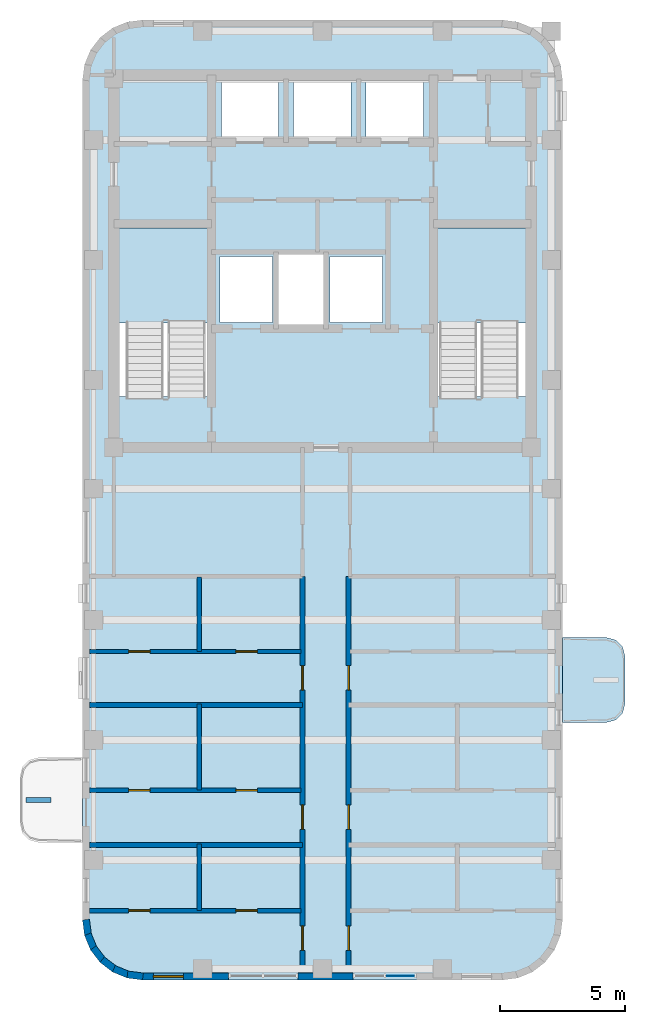
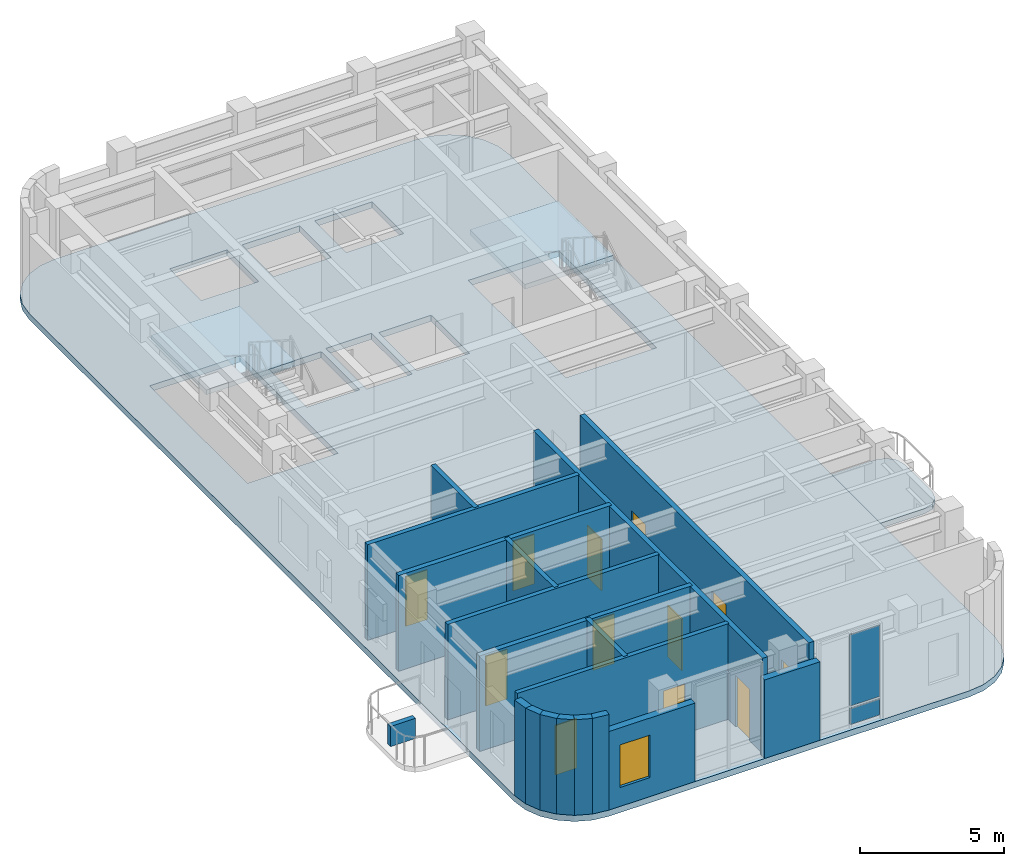
# One storey, part 2 of 6: 19 walls, 12 doors, 4 slabs, 2 plates, 1 window, 13 openings, 3 elements without a shape of their own.
"""IFC4 building model written with IfcOpenShell, lengths in metres."""

from ifc_helpers import new_model, si_unit, direction, frame, frame_2d, origin, origin_2d, place, context, subcontext, project, spatial, polyline, rectangle, outline, extrude, material, layer, layer_set, type_object, element, fill, aggregate, save


model = new_model("IFC4")

# Units and contexts
model_context = context("Model", 3, precision=1e-05, world=origin(), true_north=direction((0.0, 1.0)))
body_context = subcontext(model_context, "Body", "Model", "MODEL_VIEW")
ifc_project = project(units=[si_unit("LENGTHUNIT", "METRE"), si_unit("AREAUNIT", "SQUARE_METRE"), si_unit("VOLUMEUNIT", "CUBIC_METRE"), si_unit("PLANEANGLEUNIT", "RADIAN"), si_unit("MASSUNIT", "GRAM", prefix="KILO")], contexts=[model_context])

# Site, building, storey
site_placement = place(None, origin())
site = spatial("IfcSite", under=ifc_project, at=site_placement, CompositionType="ELEMENT")
building_placement = place(site_placement, origin())
building = spatial("IfcBuilding", under=site, at=building_placement, Name="Orvandelia Arch Residences", CompositionType="ELEMENT")
storey_placement = place(building_placement, frame((0.0, 0.0, 252.699951171875)))
storey = spatial("IfcBuildingStorey", under=building, at=storey_placement, Name="L66", CompositionType="ELEMENT", Elevation=252.699951171875)

# Curtain wall, plates
ifc_material_1 = material(Name="Anodised Bronze Curtain Wall Assembly")
curtain_wall_type = type_object("IfcCurtainWallType", Name="CW-SYS5-CORNER", PredefinedType="NOTDEFINED", material=ifc_material_1)
curtain_wall_placement = place(storey_placement, origin())
curtain_wall = element("IfcCurtainWall", 1, at=curtain_wall_placement, inside=storey, type_object=curtain_wall_type, Name="Feature Bay Winter-Garden Curtain Wall L66 2", PredefinedType="NOTDEFINED")
ifc_material_2 = material(Name="Insulated Bronze Aluminium Spandrel Panel", Category="aluminium")
ifc_layer_1 = layer(ifc_material_2, 0.0400390625, Name="Insulated Bronze Aluminium Spandrel Panel", Category="aluminium")
ifc_layer_set_1 = layer_set([ifc_layer_1], Name="Insulated Bronze Aluminium Spandrel Panel")
plate_type_1 = type_object("IfcPlateType", Name="CW-PANEL-SPANDREL", PredefinedType="SHEET", material=ifc_layer_set_1)
plate_1_placement = place(storey_placement, frame((17.507568359375, 9.760009765625, 0.125), z_axis=(0.0, 0.0, 1.0), x_axis=(1.0, 0.0, 0.0)))
plate_1 = element("IfcPlate", 2, at=plate_1_placement, type_object=plate_type_1, Name="Curtain Wall Spandrel Panel CW-L66-2-PS2", PredefinedType="SHEET", context=body_context, shape_type="SweptSolid", body=[
    extrude(rectangle(XDim=1.175048828125, YDim=0.0400390625, at=origin_2d()), origin(), (0.0, 0.0, 1.0), 0.669921875),
])
ifc_material_3 = material(Name="Low-E Laminated Double Glazing", Category="glass")
ifc_layer_2 = layer(ifc_material_3, 0.031982421875, Name="Low-E Laminated Double Glazing", Category="glass")
ifc_layer_set_2 = layer_set([ifc_layer_2], Name="Low-E Laminated Double Glazing")
plate_type_2 = type_object("IfcPlateType", Name="CW-PANEL-VISION", PredefinedType="CURTAIN_PANEL", material=ifc_layer_set_2)
plate_2_placement = place(storey_placement, frame((17.507568359375, 9.760009765625, 0.9052734375), z_axis=(0.0, 0.0, 1.0), x_axis=(1.0, 0.0, 0.0)))
plate_2 = element("IfcPlate", 3, at=plate_2_placement, type_object=plate_type_2, Name="Curtain Wall Vision Glass Panel CW-L66-2-PV2", PredefinedType="CURTAIN_PANEL", context=body_context, shape_type="SweptSolid", body=[
    extrude(rectangle(XDim=1.175048828125, YDim=0.031982421875, at=origin_2d()), origin(), (0.0, 0.0, 1.0), 3.010009765625),
])
aggregate(curtain_wall, [plate_1, plate_2])

# Slab
ifc_material_4 = material(Name="Precast concrete C40/50", Category="concrete")
ifc_layer_3 = layer(ifc_material_4, 0.219970703125, Name="Precast concrete C40/50", Category="concrete")
ifc_layer_set_3 = layer_set([ifc_layer_3], Name="Precast concrete C40/50")
slab_type_1 = type_object("IfcSlabType", Name="SLB-BAL-220", PredefinedType="USERDEFINED", material=ifc_layer_set_3)
slab_1_placement = place(storey_placement, frame((0.0, 0.0, -0.219970703125)))
element("IfcSlab", 4, at=slab_1_placement, inside=storey, type_object=slab_type_1, Name="Tree Balcony Cantilever Slab BAL-L66-W2", ObjectType="BALCONY", PredefinedType="USERDEFINED", context=body_context, shape_type="SweptSolid", body=[
    extrude(outline(polyline([(24.0, 23.300048828125), (24.0, 19.89990234375), (25.75, 19.89990234375), (26.125, 20.00048828125), (26.3994140625, 20.27490234375), (26.5, 20.64990234375), (26.5, 22.550048828125), (26.3994140625, 22.925048828125), (26.125, 23.199462890625), (25.75, 23.300048828125), (24.0, 23.300048828125)])), origin(), (0.0, 0.0, 1.0), 0.219970703125),
])

# Stair, slab
ifc_material_5 = material(Name="Concrete C40/50", Category="concrete")
stair_type = type_object("IfcStairType", Name="STAIR-RC-DOGLEG", PredefinedType="HALF_TURN_STAIR", material=ifc_material_5)
stair_1_placement = place(storey_placement, origin())
stair_1 = element("IfcStair", 5, at=stair_1_placement, inside=storey, type_object=stair_type, Name="L66 Protected Exit Stair ST-1", PredefinedType="HALF_TURN_STAIR")
ifc_layer_4 = layer(ifc_material_5, 0.219970703125, Name="Concrete C40/50", Category="concrete")
ifc_layer_set_4 = layer_set([ifc_layer_4], Name="Concrete C40/50")
slab_type_2 = type_object("IfcSlabType", Name="SLB-LANDING-220", PredefinedType="LANDING", material=ifc_layer_set_4)
slab_2_placement = place(storey_placement, frame((0.0, 0.0, 1.949951171875)))
slab_2 = element("IfcSlab", 6, at=slab_2_placement, type_object=slab_type_2, Name="ST-1 landing 1", PredefinedType="LANDING", context=body_context, shape_type="SweptSolid", body=[
    extrude(outline(polyline([(9.800048828125, 35.8701171875), (9.800048828125, 39.68994140625), (6.260009765625, 39.68994140625), (6.260009765625, 35.8701171875), (9.800048828125, 35.8701171875)])), origin(), (0.0, 0.0, 1.0), 0.2001953125),
])
aggregate(stair_1, [slab_2])

stair_2_placement = place(storey_placement, origin())
stair_2 = element("IfcStair", 7, at=stair_2_placement, inside=storey, type_object=stair_type, Name="L66 Protected Exit Stair ST-2", PredefinedType="HALF_TURN_STAIR")
slab_3_placement = place(storey_placement, frame((0.0, 0.0, 1.949951171875)))
slab_3 = element("IfcSlab", 8, at=slab_3_placement, type_object=slab_type_2, Name="ST-2 landing 1", PredefinedType="LANDING", context=body_context, shape_type="SweptSolid", body=[
    extrude(outline(polyline([(22.5400390625, 35.8701171875), (22.5400390625, 39.68994140625), (19.0, 39.68994140625), (19.0, 35.8701171875), (22.5400390625, 35.8701171875)])), origin(), (0.0, 0.0, 1.0), 0.2001953125),
])
aggregate(stair_2, [slab_3])

# Slab
ifc_layer_5 = layer(ifc_material_5, 0.260009765625, Name="Concrete C40/50", Category="concrete")
ifc_layer_set_5 = layer_set([ifc_layer_5], Name="Concrete C40/50")
slab_type_3 = type_object("IfcSlabType", Name="SLB-TWR-260", PredefinedType="FLOOR", material=ifc_layer_set_5)
slab_4_placement = place(storey_placement, frame((0.0, 0.0, -0.260009765625)))
element("IfcSlab", 9, at=slab_4_placement, inside=storey, type_object=slab_type_3, Name="Structural Floor Slab L66-1", PredefinedType="FLOOR", context=body_context, shape_type="SweptSolid", body=[
    extrude(outline(polyline([(4.800048828125, 12.0), (4.8818359375, 11.37890625), (5.12158203125, 10.800048828125), (5.5029296875, 10.302978515625), (6.0, 9.92138671875), (6.578857421875, 9.681884765625), (7.199951171875, 9.60009765625), (21.60009765625, 9.60009765625), (22.22119140625, 9.681884765625), (22.800048828125, 9.92138671875), (23.297119140625, 10.302978515625), (23.678466796875, 10.800048828125), (23.918212890625, 11.37890625), (24.0, 12.0), (24.0, 45.60009765625), (23.918212890625, 46.22119140625), (23.678466796875, 46.800048828125), (23.297119140625, 47.297119140625), (22.800048828125, 47.678466796875), (22.22119140625, 47.918212890625), (21.60009765625, 48.0), (7.199951171875, 48.0), (6.578857421875, 47.918212890625), (6.0, 47.678466796875), (5.5029296875, 47.297119140625), (5.12158203125, 46.800048828125), (4.8818359375, 46.22119140625), (4.800048828125, 45.60009765625), (4.800048828125, 12.0)]), holes=[polyline([(6.219970703125, 32.949951171875), (9.840087890625, 32.949951171875), (9.840087890625, 39.72998046875), (6.219970703125, 39.72998046875), (6.219970703125, 32.949951171875)]), polyline([(18.9599609375, 32.949951171875), (22.580078125, 32.949951171875), (22.580078125, 39.72998046875), (18.9599609375, 39.72998046875), (18.9599609375, 32.949951171875)]), polyline([(12.639892578125, 35.81005859375), (14.4599609375, 35.81005859375), (14.4599609375, 38.639892578125), (12.639892578125, 38.639892578125), (12.639892578125, 35.81005859375)]), polyline([(10.300048828125, 35.89990234375), (12.39990234375, 35.89990234375), (12.39990234375, 38.550048828125), (10.300048828125, 38.550048828125), (10.300048828125, 35.89990234375)]), polyline([(14.699951171875, 35.89990234375), (16.800048828125, 35.89990234375), (16.800048828125, 38.550048828125), (14.699951171875, 38.550048828125), (14.699951171875, 35.89990234375)]), polyline([(10.35009765625, 43.300048828125), (12.64990234375, 43.300048828125), (12.64990234375, 45.5), (10.35009765625, 45.5), (10.35009765625, 43.300048828125)]), polyline([(13.25, 43.300048828125), (15.550048828125, 43.300048828125), (15.550048828125, 45.5), (13.25, 45.5), (13.25, 43.300048828125)]), polyline([(16.14990234375, 43.300048828125), (18.449951171875, 43.300048828125), (18.449951171875, 45.5), (16.14990234375, 45.5), (16.14990234375, 43.300048828125)])]), origin(), (0.0, 0.0, 1.0), 0.260009765625),
])

# Wall, openings, doors
ifc_material_6 = material(Name="Fire-Rated Corridor Partition")
ifc_layer_6 = layer(ifc_material_6, 0.199951171875, Name="Fire-Rated Corridor Partition")
ifc_layer_set_6 = layer_set([ifc_layer_6], Name="Fire-Rated Corridor Partition")
wall_type_1 = type_object("IfcWallType", Name="WL-CORR-200", PredefinedType="PARTITIONING", material=ifc_layer_set_6)
wall_1_placement = place(storey_placement, frame((13.60009765625, 9.8798828125, 0.0), z_axis=(0.0, 0.0, 1.0), x_axis=(0.0, 1.0, 0.0)))
wall_1 = element("IfcWall", 10, at=wall_1_placement, inside=storey, type_object=wall_type_1, Name="Interior Partition Wall WL-L66-WC-W", PredefinedType="PARTITIONING", context=body_context, shape_type="SweptSolid", body=[
    extrude(rectangle(XDim=15.8701171875, YDim=0.199951171875, at=frame_2d((7.93505859375, 0.0))), origin(), (0.0, 0.0, 1.0), 4.0400390625),
])
opening_1_placement = place(wall_1_placement, frame((0.907958984375, 0.0, 0.0)))
opening_1 = element("IfcOpeningElement", 11, at=opening_1_placement, cuts=wall_1, Name="Opening D1", PredefinedType="OPENING", context=body_context, shape_type="SweptSolid", body=[
    extrude(rectangle(XDim=0.97998046875, YDim=2.179931640625, at=frame_2d((0.489990234375, 1.08984375))), frame((0.0, 0.10986328125, 0.0), z_axis=(0.0, -1.0, 0.0), x_axis=(1.0, 0.0, 0.0)), (0.0, 0.0, 1.0), 0.219970703125),
])
opening_2_placement = place(wall_1_placement, frame((5.74609375, 0.0, 0.0)))
opening_2 = element("IfcOpeningElement", 12, at=opening_2_placement, cuts=wall_1, Name="Opening D1", PredefinedType="OPENING", context=body_context, shape_type="SweptSolid", body=[
    extrude(rectangle(XDim=0.97998046875, YDim=2.179931640625, at=frame_2d((0.489990234375, 1.08984375))), frame((0.0, 0.10986328125, 0.0), z_axis=(0.0, -1.0, 0.0), x_axis=(1.0, 0.0, 0.0)), (0.0, 0.0, 1.0), 0.219970703125),
])
opening_3_placement = place(wall_1_placement, frame((11.320068359375, 0.0, 0.0)))
opening_3 = element("IfcOpeningElement", 13, at=opening_3_placement, cuts=wall_1, Name="Opening D1", PredefinedType="OPENING", context=body_context, shape_type="SweptSolid", body=[
    extrude(rectangle(XDim=0.97998046875, YDim=2.179931640625, at=frame_2d((0.489990234375, 1.08984375))), frame((0.0, 0.10986328125, 0.0), z_axis=(0.0, -1.0, 0.0), x_axis=(1.0, 0.0, 0.0)), (0.0, 0.0, 1.0), 0.219970703125),
])
ifc_material_7 = material(Name="Solid-Core Timber Acoustic Fire Door", Category="wood")
door_type_1 = type_object("IfcDoorType", Name="DR-ENT-980", OperationType="NOTDEFINED", PredefinedType="DOOR", material=ifc_material_7)
door_1_placement = place(opening_1_placement, origin())
door_1 = element("IfcDoor", 14, at=door_1_placement, inside=storey, type_object=door_type_1, Name="Unit L66-01 Entrance Door", OperationType="SINGLE_SWING_LEFT", OverallHeight=2.179931640625, OverallWidth=0.97998046875, PredefinedType="DOOR", context=body_context, shape_type="SweptSolid", body=[
    extrude(rectangle(XDim=0.97998046875, YDim=2.179931640625, at=frame_2d((0.489990234375, 1.08984375))), frame((0.0, 0.02490234375, 0.0), z_axis=(0.0, -1.0, 0.0), x_axis=(1.0, 0.0, 0.0)), (0.0, 0.0, 1.0), 0.050048828125),
])
fill(opening_1, door_1)
door_2_placement = place(opening_2_placement, origin())
door_2 = element("IfcDoor", 15, at=door_2_placement, inside=storey, type_object=door_type_1, Name="Unit L66-02 Entrance Door", OperationType="SINGLE_SWING_RIGHT", OverallHeight=2.179931640625, OverallWidth=0.97998046875, PredefinedType="DOOR", context=body_context, shape_type="SweptSolid", body=[
    extrude(rectangle(XDim=0.97998046875, YDim=2.179931640625, at=frame_2d((0.489990234375, 1.08984375))), frame((0.0, 0.02490234375, 0.0), z_axis=(0.0, -1.0, 0.0), x_axis=(1.0, 0.0, 0.0)), (0.0, 0.0, 1.0), 0.050048828125),
])
fill(opening_2, door_2)
door_3_placement = place(opening_3_placement, origin())
door_3 = element("IfcDoor", 16, at=door_3_placement, inside=storey, type_object=door_type_1, Name="Unit L66-03 Entrance Door", OperationType="SINGLE_SWING_LEFT", OverallHeight=2.179931640625, OverallWidth=0.97998046875, PredefinedType="DOOR", context=body_context, shape_type="SweptSolid", body=[
    extrude(rectangle(XDim=0.97998046875, YDim=2.179931640625, at=frame_2d((0.489990234375, 1.08984375))), frame((0.0, 0.02490234375, 0.0), z_axis=(0.0, -1.0, 0.0), x_axis=(1.0, 0.0, 0.0)), (0.0, 0.0, 1.0), 0.050048828125),
])
fill(opening_3, door_3)

wall_2_placement = place(storey_placement, frame((15.449951171875, 9.8798828125, 0.0), z_axis=(0.0, 0.0, 1.0), x_axis=(0.0, 1.0, 0.0)))
wall_2 = element("IfcWall", 17, at=wall_2_placement, inside=storey, type_object=wall_type_1, Name="Interior Partition Wall WL-L66-WC-E", PredefinedType="PARTITIONING", context=body_context, shape_type="SweptSolid", body=[
    extrude(rectangle(XDim=15.8701171875, YDim=0.199951171875, at=frame_2d((7.93505859375, 0.0))), origin(), (0.0, 0.0, 1.0), 4.0400390625),
])
opening_4_placement = place(wall_2_placement, frame((0.907958984375, 0.0, 0.0)))
opening_4 = element("IfcOpeningElement", 18, at=opening_4_placement, cuts=wall_2, Name="Opening D1", PredefinedType="OPENING", context=body_context, shape_type="SweptSolid", body=[
    extrude(rectangle(XDim=0.97998046875, YDim=2.179931640625, at=frame_2d((0.489990234375, 1.08984375))), frame((0.0, 0.10986328125, 0.0), z_axis=(0.0, -1.0, 0.0), x_axis=(1.0, 0.0, 0.0)), (0.0, 0.0, 1.0), 0.219970703125),
])
opening_5_placement = place(wall_2_placement, frame((5.74609375, 0.0, 0.0)))
opening_5 = element("IfcOpeningElement", 19, at=opening_5_placement, cuts=wall_2, Name="Opening D1", PredefinedType="OPENING", context=body_context, shape_type="SweptSolid", body=[
    extrude(rectangle(XDim=0.97998046875, YDim=2.179931640625, at=frame_2d((0.489990234375, 1.08984375))), frame((0.0, 0.10986328125, 0.0), z_axis=(0.0, -1.0, 0.0), x_axis=(1.0, 0.0, 0.0)), (0.0, 0.0, 1.0), 0.219970703125),
])
opening_6_placement = place(wall_2_placement, frame((11.320068359375, 0.0, 0.0)))
opening_6 = element("IfcOpeningElement", 20, at=opening_6_placement, cuts=wall_2, Name="Opening D1", PredefinedType="OPENING", context=body_context, shape_type="SweptSolid", body=[
    extrude(rectangle(XDim=0.97998046875, YDim=2.179931640625, at=frame_2d((0.489990234375, 1.08984375))), frame((0.0, 0.10986328125, 0.0), z_axis=(0.0, -1.0, 0.0), x_axis=(1.0, 0.0, 0.0)), (0.0, 0.0, 1.0), 0.219970703125),
])
door_4_placement = place(opening_4_placement, origin())
door_4 = element("IfcDoor", 21, at=door_4_placement, inside=storey, type_object=door_type_1, Name="Unit L66-04 Entrance Door", OperationType="SINGLE_SWING_RIGHT", OverallHeight=2.179931640625, OverallWidth=0.97998046875, PredefinedType="DOOR", context=body_context, shape_type="SweptSolid", body=[
    extrude(rectangle(XDim=0.97998046875, YDim=2.179931640625, at=frame_2d((0.489990234375, 1.08984375))), frame((0.0, 0.02490234375, 0.0), z_axis=(0.0, -1.0, 0.0), x_axis=(1.0, 0.0, 0.0)), (0.0, 0.0, 1.0), 0.050048828125),
])
fill(opening_4, door_4)
door_5_placement = place(opening_5_placement, origin())
door_5 = element("IfcDoor", 22, at=door_5_placement, inside=storey, type_object=door_type_1, Name="Unit L66-05 Entrance Door", OperationType="SINGLE_SWING_LEFT", OverallHeight=2.179931640625, OverallWidth=0.97998046875, PredefinedType="DOOR", context=body_context, shape_type="SweptSolid", body=[
    extrude(rectangle(XDim=0.97998046875, YDim=2.179931640625, at=frame_2d((0.489990234375, 1.08984375))), frame((0.0, 0.02490234375, 0.0), z_axis=(0.0, -1.0, 0.0), x_axis=(1.0, 0.0, 0.0)), (0.0, 0.0, 1.0), 0.050048828125),
])
fill(opening_5, door_5)
door_6_placement = place(opening_6_placement, origin())
door_6 = element("IfcDoor", 23, at=door_6_placement, inside=storey, type_object=door_type_1, Name="Unit L66-06 Entrance Door", OperationType="SINGLE_SWING_RIGHT", OverallHeight=2.179931640625, OverallWidth=0.97998046875, PredefinedType="DOOR", context=body_context, shape_type="SweptSolid", body=[
    extrude(rectangle(XDim=0.97998046875, YDim=2.179931640625, at=frame_2d((0.489990234375, 1.08984375))), frame((0.0, 0.02490234375, 0.0), z_axis=(0.0, -1.0, 0.0), x_axis=(1.0, 0.0, 0.0)), (0.0, 0.0, 1.0), 0.050048828125),
])
fill(opening_6, door_6)

# Walls
ifc_layer_7 = layer(ifc_material_5, 0.199951171875, Name="Concrete C40/50", Category="concrete")
ifc_layer_set_7 = layer_set([ifc_layer_7], Name="Concrete C40/50")
wall_type_2 = type_object("IfcWallType", Name="WL-DEM-200", PredefinedType="SOLIDWALL", material=ifc_layer_set_7)
for number, where, z_axis, x_axis, name in (
    (24, (5.080078125, 15.0, 0.0), (0.0, 0.0, 1.0), (1.0, 0.0, 0.0), "Interior Partition Wall WL-L66-DEM-WL-150"),
    (25, (5.080078125, 20.60009765625, 0.0), (0.0, 0.0, 1.0), (1.0, 0.0, 0.0), "Interior Partition Wall WL-L66-DEM-WL-206"),
):
    element("IfcWall", number, at=place(storey_placement, frame(where, z_axis=z_axis, x_axis=x_axis)), inside=storey, type_object=wall_type_2, Name=name, PredefinedType="SOLIDWALL", context=body_context, shape_type="SweptSolid", body=[
        extrude(rectangle(XDim=8.52001953125, YDim=0.199951171875, at=frame_2d((4.260009765625, 0.0))), origin(), (0.0, 0.0, 1.0), 4.0400390625),
    ])
ifc_layer_8 = layer(ifc_material_4, 0.280029296875, Name="Precast concrete C40/50", Category="concrete")
ifc_layer_set_8 = layer_set([ifc_layer_8], Name="Precast concrete C40/50")
wall_type_3 = type_object("IfcWallType", Name="WL-EXT-STONE-280", PredefinedType="STANDARD", material=ifc_layer_set_8)
wall_3_placement = place(storey_placement, frame((15.6298828125, 9.739990234375, 0.0), z_axis=(0.0, 0.0, 1.0), x_axis=(-1.0, 0.0, 0.0)))
element("IfcWall", 26, at=wall_3_placement, inside=storey, type_object=wall_type_3, Name="Coral-Limestone Precast Facade Wall L66-022", PredefinedType="STANDARD", context=body_context, shape_type="SweptSolid", body=[
    extrude(rectangle(XDim=2.2099609375, YDim=0.280029296875, at=frame_2d((1.10498046875, 0.0))), origin(), (0.0, 0.0, 1.0), 3.320068359375),
])

# Wall, opening, window
wall_4_placement = place(storey_placement, frame((10.639892578125, 9.739990234375, 0.0), z_axis=(0.0, 0.0, 1.0), x_axis=(-1.0, 0.0, 0.0)))
wall_4 = element("IfcWall", 27, at=wall_4_placement, inside=storey, type_object=wall_type_3, Name="Coral-Limestone Precast Facade Wall L66-023", PredefinedType="STANDARD", context=body_context, shape_type="SweptSolid", body=[
    extrude(rectangle(XDim=3.43994140625, YDim=0.280029296875, at=frame_2d((1.719970703125, 0.0))), origin(), (0.0, 0.0, 1.0), 3.320068359375),
])
opening_7_placement = place(wall_4_placement, frame((1.8076171875, 0.0, 0.800048828125)))
opening_7 = element("IfcOpeningElement", 28, at=opening_7_placement, cuts=wall_4, Name="Opening W3", PredefinedType="OPENING", context=body_context, shape_type="SweptSolid", body=[
    extrude(rectangle(XDim=1.199951171875, YDim=1.800048828125, at=frame_2d((0.60009765625, 0.89990234375))), frame((0.0, 0.14990234375, 0.0), z_axis=(0.0, -1.0, 0.0), x_axis=(1.0, 0.0, 0.0)), (0.0, 0.0, 1.0), 0.300048828125),
])
ifc_material_8 = material(Name="Tempered Low-E Insulated Glazing", Category="glass")
window_type = type_object("IfcWindowType", Name="WIN-RES-1200x1800", PartitioningType="SINGLE_PANEL", PredefinedType="WINDOW", material=ifc_material_8)
window_placement = place(opening_7_placement, origin())
window = element("IfcWindow", 29, at=window_placement, inside=storey, type_object=window_type, Name="Recessed Punched Window L66-008", OverallHeight=1.800048828125, OverallWidth=1.199951171875, PartitioningType="SINGLE_PANEL", PredefinedType="WINDOW", context=body_context, shape_type="SweptSolid", body=[
    extrude(rectangle(XDim=1.199951171875, YDim=1.800048828125, at=frame_2d((0.60009765625, 0.89990234375))), frame((0.0, 0.030029296875, 0.0), z_axis=(0.0, -1.0, 0.0), x_axis=(1.0, 0.0, 0.0)), (0.0, 0.0, 1.0), 0.06005859375),
])
fill(opening_7, window)

# Walls
wall_5_placement = place(storey_placement, frame((7.21826171875, 9.73876953125, 0.0), z_axis=(0.0, 0.0, 1.0), x_axis=(-0.9914410257, 0.130555323746, 0.0)))
element("IfcWall", 30, at=wall_5_placement, inside=storey, type_object=wall_type_3, Name="Coral-Limestone Precast Facade Wall L66-024", PredefinedType="STANDARD", context=body_context, shape_type="SweptSolid", body=[
    extrude(rectangle(XDim=0.62646484375, YDim=0.280029296875, at=frame_2d((0.313232421875, 0.0))), origin(), (0.0, 0.0, 1.0), 4.0400390625),
])
wall_6_placement = place(storey_placement, frame((6.63232421875, 9.81103515625, 0.0), z_axis=(0.0, 0.0, 1.0), x_axis=(-0.923836271867, 0.382787856107, 0.0)))
element("IfcWall", 31, at=wall_6_placement, inside=storey, type_object=wall_type_3, Name="Coral-Limestone Precast Facade Wall L66-025", PredefinedType="STANDARD", context=body_context, shape_type="SweptSolid", body=[
    extrude(rectangle(XDim=0.626220703125, YDim=0.280029296875, at=frame_2d((0.31298828125, 0.0))), origin(), (0.0, 0.0, 1.0), 4.0400390625),
])
for number, where, z_axis, x_axis, name in (
    (32, (6.085205078125, 10.03271484375, 0.0), (0.0, 0.0, 1.0), (-0.793405610854, 0.608693302629, 0.0), "Coral-Limestone Precast Facade Wall L66-026"),
    (33, (5.614013671875, 10.38818359375, 0.0), (0.0, 0.0, 1.0), (-0.608693302629, 0.793405610854, 0.0), "Coral-Limestone Precast Facade Wall L66-027"),
    (34, (5.250732421875, 10.853515625, 0.0), (0.0, 0.0, 1.0), (-0.382650053678, 0.92389335771, 0.0), "Coral-Limestone Precast Facade Wall L66-028"),
    (35, (5.0205078125, 11.397216796875, 0.0), (0.0, 0.0, 1.0), (-0.130555323746, 0.9914410257, 0.0), "Coral-Limestone Precast Facade Wall L66-029"),
):
    element("IfcWall", number, at=place(storey_placement, frame(where, z_axis=z_axis, x_axis=x_axis)), inside=storey, type_object=wall_type_3, Name=name, PredefinedType="STANDARD", context=body_context, shape_type="SweptSolid", body=[
        extrude(rectangle(XDim=0.62646484375, YDim=0.280029296875, at=frame_2d((0.313232421875, 0.0))), origin(), (0.0, 0.0, 1.0), 4.0400390625),
    ])
ifc_layer_9 = layer(ifc_material_4, 0.199951171875, Name="Precast concrete C40/50", Category="concrete")
ifc_layer_set_9 = layer_set([ifc_layer_9], Name="Precast concrete C40/50")
wall_type_4 = type_object("IfcWallType", Name="WL-PLANTER-200", PredefinedType="MOVABLE", material=ifc_layer_set_9)
wall_7_placement = place(storey_placement, frame((2.550048828125, 16.800048828125, 0.0), z_axis=(0.0, 0.0, 1.0), x_axis=(1.0, 0.0, 0.0)))
element("IfcWall", 36, at=wall_7_placement, inside=storey, type_object=wall_type_4, Name="Balcony Precast Tree Planter BAL-L66-W1", PredefinedType="MOVABLE", context=body_context, shape_type="SweptSolid", body=[
    extrude(rectangle(XDim=1.0, YDim=0.199951171875, at=frame_2d((0.5, 0.0))), origin(), (0.0, 0.0, 1.0), 0.85009765625),
])

# Wall, openings, doors
ifc_material_9 = material(Name="Moisture-Resistant Plumbing Wall")
ifc_layer_10 = layer(ifc_material_9, 0.179931640625, Name="Moisture-Resistant Plumbing Wall")
ifc_layer_set_10 = layer_set([ifc_layer_10], Name="Moisture-Resistant Plumbing Wall")
wall_type_5 = type_object("IfcWallType", Name="WL-WET-180", PredefinedType="PLUMBINGWALL", material=ifc_layer_set_10)
wall_8_placement = place(storey_placement, frame((5.080078125, 12.3759765625, 0.0), z_axis=(0.0, 0.0, 1.0), x_axis=(1.0, 0.0, 0.0)))
wall_8 = element("IfcWall", 37, at=wall_8_placement, inside=storey, type_object=wall_type_5, Name="Interior Partition Wall WL-L66-U01-HZ", PredefinedType="PLUMBINGWALL", context=body_context, shape_type="SweptSolid", body=[
    extrude(rectangle(XDim=8.4599609375, YDim=0.179931640625, at=frame_2d((4.22998046875, 0.0))), origin(), (0.0, 0.0, 1.0), 4.0400390625),
])
opening_8_placement = place(wall_8_placement, frame((1.56005859375, 0.0, 0.0)))
opening_8 = element("IfcOpeningElement", 38, at=opening_8_placement, cuts=wall_8, Name="Opening D4", PredefinedType="OPENING", context=body_context, shape_type="SweptSolid", body=[
    extrude(rectangle(XDim=0.860107421875, YDim=2.10009765625, at=frame_2d((0.43017578125, 1.050048828125))), frame((0.0, 0.10009765625, 0.0), z_axis=(0.0, -1.0, 0.0), x_axis=(1.0, 0.0, 0.0)), (0.0, 0.0, 1.0), 0.199951171875),
])
opening_9_placement = place(wall_8_placement, frame((5.85009765625, 0.0, 0.0)))
opening_9 = element("IfcOpeningElement", 39, at=opening_9_placement, cuts=wall_8, Name="Opening D4", PredefinedType="OPENING", context=body_context, shape_type="SweptSolid", body=[
    extrude(rectangle(XDim=0.860107421875, YDim=2.10009765625, at=frame_2d((0.43017578125, 1.050048828125))), frame((0.0, 0.10009765625, 0.0), z_axis=(0.0, -1.0, 0.0), x_axis=(1.0, 0.0, 0.0)), (0.0, 0.0, 1.0), 0.199951171875),
])
ifc_material_10 = material(Name="Moisture-Sealed Timber Bathroom Door", Category="wood")
door_type_2 = type_object("IfcDoorType", Name="DR-WET-900", OperationType="NOTDEFINED", PredefinedType="DOOR", material=ifc_material_10)
door_7_placement = place(opening_8_placement, origin())
door_7 = element("IfcDoor", 40, at=door_7_placement, inside=storey, type_object=door_type_2, Name="DR-L66-U01-KIT", OperationType="SINGLE_SWING_LEFT", OverallHeight=2.10009765625, OverallWidth=0.860107421875, PredefinedType="DOOR", context=body_context, shape_type="SweptSolid", body=[
    extrude(rectangle(XDim=0.860107421875, YDim=2.10009765625, at=frame_2d((0.43017578125, 1.050048828125))), frame((0.0, 0.02490234375, 0.0), z_axis=(0.0, -1.0, 0.0), x_axis=(1.0, 0.0, 0.0)), (0.0, 0.0, 1.0), 0.050048828125),
])
fill(opening_8, door_7)
door_8_placement = place(opening_9_placement, origin())
door_8 = element("IfcDoor", 41, at=door_8_placement, inside=storey, type_object=door_type_2, Name="DR-L66-U01-BTH", OperationType="SINGLE_SWING_RIGHT", OverallHeight=2.10009765625, OverallWidth=0.860107421875, PredefinedType="DOOR", context=body_context, shape_type="SweptSolid", body=[
    extrude(rectangle(XDim=0.860107421875, YDim=2.10009765625, at=frame_2d((0.43017578125, 1.050048828125))), frame((0.0, 0.02490234375, 0.0), z_axis=(0.0, -1.0, 0.0), x_axis=(1.0, 0.0, 0.0)), (0.0, 0.0, 1.0), 0.050048828125),
])
fill(opening_9, door_8)

# Wall
wall_9_placement = place(storey_placement, frame((9.469970703125, 12.3759765625, 0.0), z_axis=(0.0, 0.0, 1.0), x_axis=(0.0, 1.0, 0.0)))
element("IfcWall", 42, at=wall_9_placement, inside=storey, type_object=wall_type_5, Name="Interior Partition Wall WL-L66-U01-V1", PredefinedType="PLUMBINGWALL", context=body_context, shape_type="SweptSolid", body=[
    extrude(rectangle(XDim=2.6640625, YDim=0.179931640625, at=frame_2d((1.33203125, 0.0))), origin(), (0.0, 0.0, 1.0), 4.0400390625),
])

# Wall, openings, doors
wall_10_placement = place(storey_placement, frame((5.080078125, 17.19189453125, 0.0), z_axis=(0.0, 0.0, 1.0), x_axis=(1.0, 0.0, 0.0)))
wall_10 = element("IfcWall", 43, at=wall_10_placement, inside=storey, type_object=wall_type_5, Name="Interior Partition Wall WL-L66-U02-HZ", PredefinedType="PLUMBINGWALL", context=body_context, shape_type="SweptSolid", body=[
    extrude(rectangle(XDim=8.4599609375, YDim=0.179931640625, at=frame_2d((4.22998046875, 0.0))), origin(), (0.0, 0.0, 1.0), 4.0400390625),
])
opening_10_placement = place(wall_10_placement, frame((1.56005859375, 0.0, 0.0)))
opening_10 = element("IfcOpeningElement", 44, at=opening_10_placement, cuts=wall_10, Name="Opening D4", PredefinedType="OPENING", context=body_context, shape_type="SweptSolid", body=[
    extrude(rectangle(XDim=0.860107421875, YDim=2.10009765625, at=frame_2d((0.43017578125, 1.050048828125))), frame((0.0, 0.10009765625, 0.0), z_axis=(0.0, -1.0, 0.0), x_axis=(1.0, 0.0, 0.0)), (0.0, 0.0, 1.0), 0.199951171875),
])
opening_11_placement = place(wall_10_placement, frame((5.85009765625, 0.0, 0.0)))
opening_11 = element("IfcOpeningElement", 45, at=opening_11_placement, cuts=wall_10, Name="Opening D4", PredefinedType="OPENING", context=body_context, shape_type="SweptSolid", body=[
    extrude(rectangle(XDim=0.860107421875, YDim=2.10009765625, at=frame_2d((0.43017578125, 1.050048828125))), frame((0.0, 0.10009765625, 0.0), z_axis=(0.0, -1.0, 0.0), x_axis=(1.0, 0.0, 0.0)), (0.0, 0.0, 1.0), 0.199951171875),
])
door_9_placement = place(opening_10_placement, origin())
door_9 = element("IfcDoor", 46, at=door_9_placement, inside=storey, type_object=door_type_2, Name="DR-L66-U02-KIT", OperationType="SINGLE_SWING_RIGHT", OverallHeight=2.10009765625, OverallWidth=0.860107421875, PredefinedType="DOOR", context=body_context, shape_type="SweptSolid", body=[
    extrude(rectangle(XDim=0.860107421875, YDim=2.10009765625, at=frame_2d((0.43017578125, 1.050048828125))), frame((0.0, 0.02490234375, 0.0), z_axis=(0.0, -1.0, 0.0), x_axis=(1.0, 0.0, 0.0)), (0.0, 0.0, 1.0), 0.050048828125),
])
fill(opening_10, door_9)
door_10_placement = place(opening_11_placement, origin())
door_10 = element("IfcDoor", 47, at=door_10_placement, inside=storey, type_object=door_type_2, Name="DR-L66-U02-BTH", OperationType="SINGLE_SWING_LEFT", OverallHeight=2.10009765625, OverallWidth=0.860107421875, PredefinedType="DOOR", context=body_context, shape_type="SweptSolid", body=[
    extrude(rectangle(XDim=0.860107421875, YDim=2.10009765625, at=frame_2d((0.43017578125, 1.050048828125))), frame((0.0, 0.02490234375, 0.0), z_axis=(0.0, -1.0, 0.0), x_axis=(1.0, 0.0, 0.0)), (0.0, 0.0, 1.0), 0.050048828125),
])
fill(opening_11, door_10)

# Wall
wall_11_placement = place(storey_placement, frame((9.469970703125, 17.19189453125, 0.0), z_axis=(0.0, 0.0, 1.0), x_axis=(0.0, 1.0, 0.0)))
element("IfcWall", 48, at=wall_11_placement, inside=storey, type_object=wall_type_5, Name="Interior Partition Wall WL-L66-U02-V1", PredefinedType="PLUMBINGWALL", context=body_context, shape_type="SweptSolid", body=[
    extrude(rectangle(XDim=3.447998046875, YDim=0.179931640625, at=frame_2d((1.72412109375, 0.0))), origin(), (0.0, 0.0, 1.0), 4.0400390625),
])

# Wall, openings, doors
wall_12_placement = place(storey_placement, frame((5.080078125, 22.739990234375, 0.0), z_axis=(0.0, 0.0, 1.0), x_axis=(1.0, 0.0, 0.0)))
wall_12 = element("IfcWall", 49, at=wall_12_placement, inside=storey, type_object=wall_type_5, Name="Interior Partition Wall WL-L66-U03-HZ", PredefinedType="PLUMBINGWALL", context=body_context, shape_type="SweptSolid", body=[
    extrude(rectangle(XDim=8.4599609375, YDim=0.179931640625, at=frame_2d((4.22998046875, 0.0))), origin(), (0.0, 0.0, 1.0), 4.0400390625),
])
opening_12_placement = place(wall_12_placement, frame((1.56005859375, 0.0, 0.0)))
opening_12 = element("IfcOpeningElement", 50, at=opening_12_placement, cuts=wall_12, Name="Opening D4", PredefinedType="OPENING", context=body_context, shape_type="SweptSolid", body=[
    extrude(rectangle(XDim=0.860107421875, YDim=2.10009765625, at=frame_2d((0.43017578125, 1.050048828125))), frame((0.0, 0.10009765625, 0.0), z_axis=(0.0, -1.0, 0.0), x_axis=(1.0, 0.0, 0.0)), (0.0, 0.0, 1.0), 0.199951171875),
])
opening_13_placement = place(wall_12_placement, frame((5.85009765625, 0.0, 0.0)))
opening_13 = element("IfcOpeningElement", 51, at=opening_13_placement, cuts=wall_12, Name="Opening D4", PredefinedType="OPENING", context=body_context, shape_type="SweptSolid", body=[
    extrude(rectangle(XDim=0.860107421875, YDim=2.10009765625, at=frame_2d((0.43017578125, 1.050048828125))), frame((0.0, 0.10009765625, 0.0), z_axis=(0.0, -1.0, 0.0), x_axis=(1.0, 0.0, 0.0)), (0.0, 0.0, 1.0), 0.199951171875),
])
door_11_placement = place(opening_12_placement, origin())
door_11 = element("IfcDoor", 52, at=door_11_placement, inside=storey, type_object=door_type_2, Name="DR-L66-U03-KIT", OperationType="SINGLE_SWING_LEFT", OverallHeight=2.10009765625, OverallWidth=0.860107421875, PredefinedType="DOOR", context=body_context, shape_type="SweptSolid", body=[
    extrude(rectangle(XDim=0.860107421875, YDim=2.10009765625, at=frame_2d((0.43017578125, 1.050048828125))), frame((0.0, 0.02490234375, 0.0), z_axis=(0.0, -1.0, 0.0), x_axis=(1.0, 0.0, 0.0)), (0.0, 0.0, 1.0), 0.050048828125),
])
fill(opening_12, door_11)
door_12_placement = place(opening_13_placement, origin())
door_12 = element("IfcDoor", 53, at=door_12_placement, inside=storey, type_object=door_type_2, Name="DR-L66-U03-BTH", OperationType="SINGLE_SWING_RIGHT", OverallHeight=2.10009765625, OverallWidth=0.860107421875, PredefinedType="DOOR", context=body_context, shape_type="SweptSolid", body=[
    extrude(rectangle(XDim=0.860107421875, YDim=2.10009765625, at=frame_2d((0.43017578125, 1.050048828125))), frame((0.0, 0.02490234375, 0.0), z_axis=(0.0, -1.0, 0.0), x_axis=(1.0, 0.0, 0.0)), (0.0, 0.0, 1.0), 0.050048828125),
])
fill(opening_13, door_12)

# Wall
wall_13_placement = place(storey_placement, frame((9.469970703125, 22.739990234375, 0.0), z_axis=(0.0, 0.0, 1.0), x_axis=(0.0, 1.0, 0.0)))
element("IfcWall", 54, at=wall_13_placement, inside=storey, type_object=wall_type_5, Name="Interior Partition Wall WL-L66-U03-V1", PredefinedType="PLUMBINGWALL", context=body_context, shape_type="SweptSolid", body=[
    extrude(rectangle(XDim=2.97998046875, YDim=0.179931640625, at=frame_2d((1.489990234375, 0.0))), origin(), (0.0, 0.0, 1.0), 4.0400390625),
])

save(model, "model.ifc")
